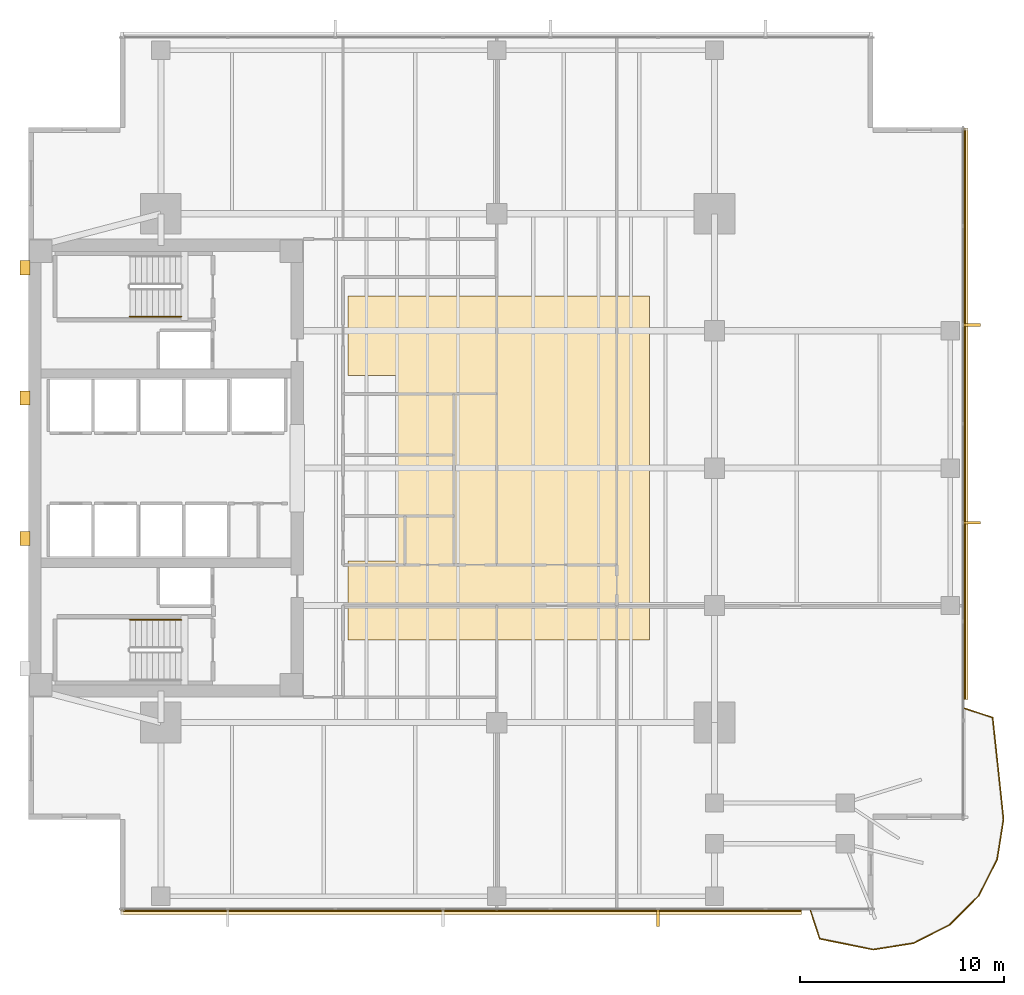
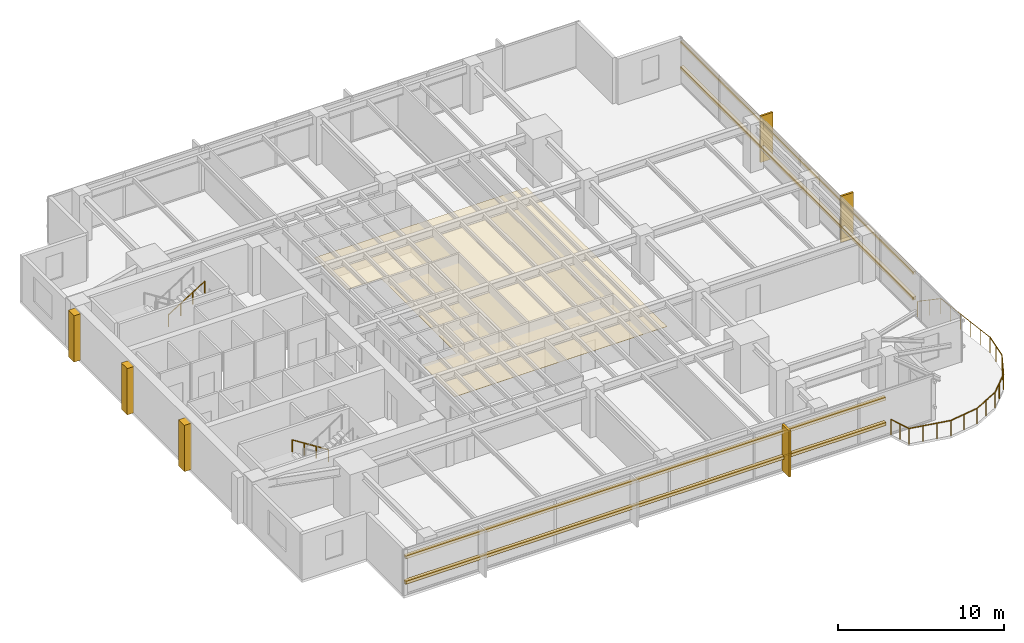
# One storey, part 12 of 14: 11 coverings, 11 railings, 4 shading devices.
"""IFC4 building model written with IfcOpenShell, lengths in metres."""

from ifc_helpers import new_model, si_unit, direction, frame, origin, origin_2d, place, context, subcontext, project, spatial, polyline, rectangle, circle, outline, extrude, material, layer, layer_set, material_profile, profile_set, type_object, element, save


model = new_model("IFC4")

# Units and contexts
model_context = context("Model", 3, precision=1e-05, world=origin(), true_north=direction((0.0, 1.0)))
body_context = subcontext(model_context, "Body", "Model", "MODEL_VIEW")
ifc_project = project(units=[si_unit("LENGTHUNIT", "METRE"), si_unit("AREAUNIT", "SQUARE_METRE"), si_unit("VOLUMEUNIT", "CUBIC_METRE"), si_unit("PLANEANGLEUNIT", "RADIAN"), si_unit("MASSUNIT", "GRAM", prefix="KILO")], contexts=[model_context])

# Site, building, storey
site_placement = place(None, origin())
site = spatial("IfcSite", under=ifc_project, at=site_placement, CompositionType="ELEMENT")
building_placement = place(site_placement, origin())
building = spatial("IfcBuilding", under=site, at=building_placement, Name="Kinhvarn Gate Tower", CompositionType="ELEMENT")
storey_placement = place(building_placement, frame((0.0, 0.0, 137.75)))
storey = spatial("IfcBuildingStorey", under=building, at=storey_placement, Name="L36", CompositionType="ELEMENT", Elevation=137.75)

# Coverings
ifc_material_1 = material(Name="Fired architectural terracotta", Category="masonry")
ifc_layer_1 = layer(ifc_material_1, 0.239990234375)
ifc_layer_set_1 = layer_set([ifc_layer_1], Name="Fired architectural terracotta")
covering_type_1 = type_object("IfcCoveringType", Name="COV-BAG-220", PredefinedType="CLADDING", material=ifc_layer_set_1)
for number, where, name in (
    (1, (0.0, 0.0, 0.93994140625), "Terracotta Horizontal Sunscreen Band TBG-220 (L36)"),
    (2, (0.0, 0.0, 2.81005859375), "Terracotta Horizontal Sunscreen Band TBG-220 (L36)"),
):
    element("IfcCovering", number, at=place(storey_placement, frame(where)), inside=storey, type_object=covering_type_1, Name=name, PredefinedType="CLADDING", context=body_context, shape_type="SweptSolid", body=[
        extrude(outline(polyline([(9.0400390625, 3.570068359375), (42.469970703125, 3.570068359375), (42.469970703125, 3.330078125), (9.0400390625, 3.330078125), (9.0400390625, 3.570068359375)])), origin(), (0.0, 0.0, 1.0), 0.219970703125),
    ])
for number, where, name in (
    (3, (0.0, 0.0, 0.93994140625), "Terracotta Horizontal Sunscreen Band TBG-220 (L36)"),
    (4, (0.0, 0.0, 2.81005859375), "Terracotta Horizontal Sunscreen Band TBG-220 (L36)"),
):
    element("IfcCovering", number, at=place(storey_placement, frame(where)), inside=storey, type_object=covering_type_1, Name=name, PredefinedType="CLADDING", context=body_context, shape_type="SweptSolid", body=[
        extrude(outline(polyline([(50.429931640625, 13.89501953125), (50.429931640625, 41.9599609375), (50.669921875, 41.9599609375), (50.669921875, 13.89501953125), (50.429931640625, 13.89501953125)])), origin(), (0.0, 0.0, 1.0), 0.219970703125),
    ])
ifc_material_2 = material(Name="Mineral-fibre acoustic ceiling tile")
ifc_layer_2 = layer(ifc_material_2, 0.02001953125)
ifc_layer_set_2 = layer_set([ifc_layer_2], Name="Mineral-fibre acoustic ceiling tile")
covering_type_2 = type_object("IfcCoveringType", Name="COV-CEIL-20", PredefinedType="CEILING", material=ifc_layer_set_2)
covering_1_placement = place(storey_placement, frame((0.0, 0.0, 2.64990234375)))
element("IfcCovering", 5, at=covering_1_placement, inside=storey, type_object=covering_type_2, Name="Suspended Acoustic Ceiling Tile (L36-1)", PredefinedType="CEILING", context=body_context, shape_type="SweptSolid", body=[
    extrude(outline(polyline([(35.0, 33.699951171875), (35.0, 16.800048828125), (20.199951171875, 16.800048828125), (20.199951171875, 20.699951171875), (22.60009765625, 20.699951171875), (22.60009765625, 29.800048828125), (20.199951171875, 29.800048828125), (20.199951171875, 33.699951171875), (35.0, 33.699951171875)])), origin(), (0.0, 0.0, 1.0), 0.02001953125),
])
ifc_layer_3 = layer(ifc_material_1, 0.139892578125)
ifc_layer_set_3 = layer_set([ifc_layer_3], Name="Fired architectural terracotta")
covering_type_3 = type_object("IfcCoveringType", Name="COV-FIN-850", PredefinedType="CLADDING", material=ifc_layer_set_3)
covering_2_placement = place(storey_placement, frame((0.0, 0.0, -0.02001953125)))
element("IfcCovering", 6, at=covering_2_placement, inside=storey, type_object=covering_type_3, Name="Vertical Terracotta Expressive Fin TFN-850 (L36)", PredefinedType="CLADDING", context=body_context, shape_type="SweptSolid", body=[
    extrude(outline(polyline([(35.358642578125, 3.580078125), (35.49853515625, 3.580078125), (35.49853515625, 2.72998046875), (35.358642578125, 2.72998046875), (35.358642578125, 3.580078125)])), origin(), (0.0, 0.0, 1.0), 3.409912109375),
])
covering_3_placement = place(storey_placement, frame((0.0, 0.0, -0.02001953125)))
element("IfcCovering", 7, at=covering_3_placement, inside=storey, type_object=covering_type_3, Name="Vertical Terracotta Expressive Fin TFN-850 (L36)", PredefinedType="CLADDING", context=body_context, shape_type="SweptSolid", body=[
    extrude(outline(polyline([(50.419921875, 22.50146484375), (50.419921875, 22.641357421875), (51.27001953125, 22.641357421875), (51.27001953125, 22.50146484375), (50.419921875, 22.50146484375)])), origin(), (0.0, 0.0, 1.0), 3.409912109375),
])
covering_4_placement = place(storey_placement, frame((0.0, 0.0, -0.02001953125)))
element("IfcCovering", 8, at=covering_4_placement, inside=storey, type_object=covering_type_3, Name="Vertical Terracotta Expressive Fin TFN-850 (L36)", PredefinedType="CLADDING", context=body_context, shape_type="SweptSolid", body=[
    extrude(outline(polyline([(50.419921875, 32.2158203125), (50.419921875, 32.355712890625), (51.27001953125, 32.355712890625), (51.27001953125, 32.2158203125), (50.419921875, 32.2158203125)])), origin(), (0.0, 0.0, 1.0), 3.409912109375),
])
ifc_material_3 = material(Name="Precast white architectural concrete C40/50", Category="concrete")
ifc_layer_4 = layer(ifc_material_3, 0.47998046875)
ifc_layer_set_4 = layer_set([ifc_layer_4], Name="Precast white architectural concrete C40/50")
covering_type_4 = type_object("IfcCoveringType", Name="COV-RIB-450", PredefinedType="CLADDING", material=ifc_layer_set_4)
covering_5_placement = place(storey_placement, frame((0.0, 0.0, -0.02001953125)))
element("IfcCovering", 9, at=covering_5_placement, inside=storey, type_object=covering_type_4, Name="West Core Sculptural Concrete Relief Rib CRB-450 (L36)", PredefinedType="CLADDING", context=body_context, shape_type="SweptSolid", body=[
    extrude(outline(polyline([(4.080078125, 21.449951171875), (4.56005859375, 21.449951171875), (4.56005859375, 22.14990234375), (4.080078125, 22.14990234375), (4.080078125, 21.449951171875)])), origin(), (0.0, 0.0, 1.0), 3.409912109375),
])
covering_6_placement = place(storey_placement, frame((0.0, 0.0, -0.02001953125)))
element("IfcCovering", 10, at=covering_6_placement, inside=storey, type_object=covering_type_4, Name="West Core Sculptural Concrete Relief Rib CRB-450 (L36)", PredefinedType="CLADDING", context=body_context, shape_type="SweptSolid", body=[
    extrude(outline(polyline([(4.080078125, 28.35009765625), (4.56005859375, 28.35009765625), (4.56005859375, 29.050048828125), (4.080078125, 29.050048828125), (4.080078125, 28.35009765625)])), origin(), (0.0, 0.0, 1.0), 3.409912109375),
])
covering_7_placement = place(storey_placement, frame((0.0, 0.0, -0.02001953125)))
element("IfcCovering", 11, at=covering_7_placement, inside=storey, type_object=covering_type_4, Name="West Core Sculptural Concrete Relief Rib CRB-450 (L36)", PredefinedType="CLADDING", context=body_context, shape_type="SweptSolid", body=[
    extrude(outline(polyline([(4.080078125, 34.75), (4.56005859375, 34.75), (4.56005859375, 35.449951171875), (4.080078125, 35.449951171875), (4.080078125, 34.75)])), origin(), (0.0, 0.0, 1.0), 3.409912109375),
])

# Railings
ifc_material_4 = material(Name="Clear low-e double glazing", Category="glass")
railing_type_1 = type_object("IfcRailingType", Name="RL-BAL-1150", PredefinedType="BALUSTRADE", material=ifc_material_4)
railing_1_placement = place(storey_placement, frame((42.919921875, 3.5, 0.0)))
element("IfcRailing", 12, at=railing_1_placement, inside=storey, type_object=railing_type_1, Name="S-Carve Balcony Guardrail Seg 1 (L36)", PredefinedType="BALUSTRADE", context=body_context, shape_type="SweptSolid", body=[
    extrude(circle(Radius=0.02392578125, at=origin_2d()), frame((0.0, 0.0, 1.1259765625), z_axis=(0.312162019824, -0.950028880287, 0.0), x_axis=(0.950028880287, 0.312162019824, 0.0)), (0.0, 0.0, 1.0), 1.442138671875),
    extrude(circle(Radius=0.02099609375, at=origin_2d()), origin(), (0.0, 0.0, 1.0), 1.101806640625),
    extrude(circle(Radius=0.02099609375, at=origin_2d()), frame((0.22509765625, -0.68505859375, 0.0)), (0.0, 0.0, 1.0), 1.101806640625),
    extrude(circle(Radius=0.02099609375, at=origin_2d()), frame((0.4501953125, -1.3701171875, 0.0)), (0.0, 0.0, 1.0), 1.101806640625),
])
railing_2_placement = place(storey_placement, frame((43.3701171875, 2.1298828125, 0.0)))
element("IfcRailing", 13, at=railing_2_placement, inside=storey, type_object=railing_type_1, Name="S-Carve Balcony Guardrail Seg 2 (L36)", PredefinedType="BALUSTRADE", context=body_context, shape_type="SweptSolid", body=[
    extrude(circle(Radius=0.02392578125, at=origin_2d()), frame((0.0, 0.0, 1.1259765625), z_axis=(0.980077072876, -0.198617550138, 0.0), x_axis=(0.198617550138, 0.980077072876, 0.0)), (0.0, 0.0, 1.0), 2.683349609375),
    extrude(circle(Radius=0.02099609375, at=origin_2d()), origin(), (0.0, 0.0, 1.0), 1.101806640625),
    extrude(circle(Radius=0.02099609375, at=origin_2d()), frame((0.876708984375, -0.177734375, 0.0)), (0.0, 0.0, 1.0), 1.101806640625),
    extrude(circle(Radius=0.02099609375, at=origin_2d()), frame((1.753173828125, -0.355224609375, 0.0)), (0.0, 0.0, 1.0), 1.101806640625),
    extrude(circle(Radius=0.02099609375, at=origin_2d()), frame((2.6298828125, -0.532958984375, 0.0)), (0.0, 0.0, 1.0), 1.101806640625),
])
railing_3_placement = place(storey_placement, frame((46.0, 1.596923828125, 0.0)))
element("IfcRailing", 14, at=railing_3_placement, inside=storey, type_object=railing_type_1, Name="S-Carve Balcony Guardrail Seg 3 (L36)", PredefinedType="BALUSTRADE", context=body_context, shape_type="SweptSolid", body=[
    extrude(circle(Radius=0.02392578125, at=origin_2d()), frame((0.0, 0.0, 1.1259765625), z_axis=(0.987679818269, 0.156488263408, 0.0), x_axis=(-0.156488263408, 0.987679818269, 0.0)), (0.0, 0.0, 1.0), 2.003173828125),
    extrude(circle(Radius=0.02099609375, at=origin_2d()), origin(), (0.0, 0.0, 1.0), 1.101806640625),
    extrude(circle(Radius=0.02099609375, at=origin_2d()), frame((0.9892578125, 0.15673828125, 0.0)), (0.0, 0.0, 1.0), 1.101806640625),
    extrude(circle(Radius=0.02099609375, at=origin_2d()), frame((1.978515625, 0.3134765625, 0.0)), (0.0, 0.0, 1.0), 1.101806640625),
])
railing_4_placement = place(storey_placement, frame((47.978515625, 1.910400390625, 0.0)))
element("IfcRailing", 15, at=railing_4_placement, inside=storey, type_object=railing_type_1, Name="S-Carve Balcony Guardrail Seg 4 (L36)", PredefinedType="BALUSTRADE", context=body_context, shape_type="SweptSolid", body=[
    extrude(circle(Radius=0.02392578125, at=origin_2d()), frame((0.0, 0.0, 1.1259765625), z_axis=(0.891038566893, 0.453927606903, 0.0), x_axis=(-0.453927606903, 0.891038566893, 0.0)), (0.0, 0.0, 1.0), 2.00341796875),
    extrude(circle(Radius=0.02099609375, at=origin_2d()), origin(), (0.0, 0.0, 1.0), 1.101806640625),
    extrude(circle(Radius=0.02099609375, at=origin_2d()), frame((0.892578125, 0.45458984375, 0.0)), (0.0, 0.0, 1.0), 1.101806640625),
    extrude(circle(Radius=0.02099609375, at=origin_2d()), frame((1.78515625, 0.909423828125, 0.0)), (0.0, 0.0, 1.0), 1.101806640625),
])
railing_5_placement = place(storey_placement, frame((49.763671875, 2.81982421875, 0.0)))
element("IfcRailing", 16, at=railing_5_placement, inside=storey, type_object=railing_type_1, Name="S-Carve Balcony Guardrail Seg 5 (L36)", PredefinedType="BALUSTRADE", context=body_context, shape_type="SweptSolid", body=[
    extrude(circle(Radius=0.02392578125, at=origin_2d()), frame((0.0, 0.0, 1.1259765625), z_axis=(0.707106781187, 0.707106781187, 0.0), x_axis=(-0.707106781187, 0.707106781187, 0.0)), (0.0, 0.0, 1.0), 2.003173828125),
    extrude(circle(Radius=0.02099609375, at=origin_2d()), origin(), (0.0, 0.0, 1.0), 1.101806640625),
    extrude(circle(Radius=0.02099609375, at=origin_2d()), frame((0.708251953125, 0.708251953125, 0.0)), (0.0, 0.0, 1.0), 1.101806640625),
    extrude(circle(Radius=0.02099609375, at=origin_2d()), frame((1.41650390625, 1.41650390625, 0.0)), (0.0, 0.0, 1.0), 1.101806640625),
])
railing_6_placement = place(storey_placement, frame((51.18017578125, 4.236328125, 0.0)))
element("IfcRailing", 17, at=railing_6_placement, inside=storey, type_object=railing_type_1, Name="S-Carve Balcony Guardrail Seg 6 (L36)", PredefinedType="BALUSTRADE", context=body_context, shape_type="SweptSolid", body=[
    extrude(circle(Radius=0.02392578125, at=origin_2d()), frame((0.0, 0.0, 1.1259765625), z_axis=(0.453927606903, 0.891038566893, 0.0), x_axis=(-0.891038566893, 0.453927606903, 0.0)), (0.0, 0.0, 1.0), 2.00341796875),
    extrude(circle(Radius=0.02099609375, at=origin_2d()), origin(), (0.0, 0.0, 1.0), 1.101806640625),
    extrude(circle(Radius=0.02099609375, at=origin_2d()), frame((0.45458984375, 0.892578125, 0.0)), (0.0, 0.0, 1.0), 1.101806640625),
    extrude(circle(Radius=0.02099609375, at=origin_2d()), frame((0.909423828125, 1.78515625, 0.0)), (0.0, 0.0, 1.0), 1.101806640625),
])
railing_7_placement = place(storey_placement, frame((52.089599609375, 6.021484375, 0.0)))
element("IfcRailing", 18, at=railing_7_placement, inside=storey, type_object=railing_type_1, Name="S-Carve Balcony Guardrail Seg 7 (L36)", PredefinedType="BALUSTRADE", context=body_context, shape_type="SweptSolid", body=[
    extrude(circle(Radius=0.02392578125, at=origin_2d()), frame((0.0, 0.0, 1.1259765625), z_axis=(0.156488263408, 0.987679818269, 0.0), x_axis=(-0.987679818269, 0.156488263408, 0.0)), (0.0, 0.0, 1.0), 2.003173828125),
    extrude(circle(Radius=0.02099609375, at=origin_2d()), origin(), (0.0, 0.0, 1.0), 1.101806640625),
    extrude(circle(Radius=0.02099609375, at=origin_2d()), frame((0.15673828125, 0.9892578125, 0.0)), (0.0, 0.0, 1.0), 1.101806640625),
    extrude(circle(Radius=0.02099609375, at=origin_2d()), frame((0.3134765625, 1.978515625, 0.0)), (0.0, 0.0, 1.0), 1.101806640625),
])
railing_8_placement = place(storey_placement, frame((52.403076171875, 8.0, 0.0)))
element("IfcRailing", 19, at=railing_8_placement, inside=storey, type_object=railing_type_1, Name="S-Carve Balcony Guardrail Seg 8 (L36)", PredefinedType="BALUSTRADE", context=body_context, shape_type="SweptSolid", body=[
    extrude(circle(Radius=0.02392578125, at=origin_2d()), frame((0.0, 0.0, 1.1259765625), z_axis=(-0.106093813308, 0.994356124725, 0.0), x_axis=(-0.994356124725, -0.106093813308, 0.0)), (0.0, 0.0, 1.0), 5.0234375),
    extrude(circle(Radius=0.02099609375, at=origin_2d()), origin(), (0.0, 0.0, 1.0), 1.101806640625),
    extrude(circle(Radius=0.02099609375, at=origin_2d()), frame((-0.106689453125, 0.9990234375, 0.0)), (0.0, 0.0, 1.0), 1.101806640625),
    extrude(circle(Radius=0.02099609375, at=origin_2d()), frame((-0.213134765625, 1.998046875, 0.0)), (0.0, 0.0, 1.0), 1.101806640625),
    extrude(circle(Radius=0.02099609375, at=origin_2d()), frame((-0.31982421875, 2.9970703125, 0.0)), (0.0, 0.0, 1.0), 1.101806640625),
    extrude(circle(Radius=0.02099609375, at=origin_2d()), frame((-0.42626953125, 3.99609375, 0.0)), (0.0, 0.0, 1.0), 1.101806640625),
    extrude(circle(Radius=0.02099609375, at=origin_2d()), frame((-0.532958984375, 4.9951171875, 0.0)), (0.0, 0.0, 1.0), 1.101806640625),
])
railing_9_placement = place(storey_placement, frame((51.8701171875, 12.9951171875, 0.0)))
element("IfcRailing", 20, at=railing_9_placement, inside=storey, type_object=railing_type_1, Name="S-Carve Balcony Guardrail Seg 9 (L36)", PredefinedType="BALUSTRADE", context=body_context, shape_type="SweptSolid", body=[
    extrude(circle(Radius=0.02392578125, at=origin_2d()), frame((0.0, 0.0, 1.1259765625), z_axis=(-0.950079074386, 0.312009218477, 0.0), x_axis=(-0.312009218477, -0.950079074386, 0.0)), (0.0, 0.0, 1.0), 1.442138671875),
    extrude(circle(Radius=0.02099609375, at=origin_2d()), origin(), (0.0, 0.0, 1.0), 1.101806640625),
    extrude(circle(Radius=0.02099609375, at=origin_2d()), frame((-0.68505859375, 0.22509765625, 0.0)), (0.0, 0.0, 1.0), 1.101806640625),
    extrude(circle(Radius=0.02099609375, at=origin_2d()), frame((-1.3701171875, 0.449951171875, 0.0)), (0.0, 0.0, 1.0), 1.101806640625),
])
ifc_material_5 = material(Name="Steel S355", Category="steel")
railing_type_2 = type_object("IfcRailingType", Name="RL-ST-HND", PredefinedType="HANDRAIL", material=ifc_material_5)
railing_10_placement = place(storey_placement, frame((12.0, 17.800048828125, 0.177490234375)))
element("IfcRailing", 21, at=railing_10_placement, inside=storey, type_object=railing_type_2, Name="L36 ST1 stair handrail 1", PredefinedType="HANDRAIL", context=body_context, shape_type="SweptSolid", body=[
    extrude(circle(Radius=0.02392578125, at=origin_2d()), frame((0.0, 0.0, 0.8759765625), z_axis=(-0.84460694969, 0.0, 0.535386869969), x_axis=(0.0, -1.0, 0.0)), (0.0, 0.0, 1.0), 2.983642578125),
    extrude(circle(Radius=0.02099609375, at=origin_2d()), origin(), (0.0, 0.0, 1.0), 0.851806640625),
    extrude(circle(Radius=0.02099609375, at=origin_2d()), frame((-0.840087890625, 0.0, 0.532470703125)), (0.0, 0.0, 1.0), 0.851806640625),
    extrude(circle(Radius=0.02099609375, at=origin_2d()), frame((-1.679931640625, 0.0, 1.06494140625)), (0.0, 0.0, 1.0), 0.851806640625),
    extrude(circle(Radius=0.02099609375, at=origin_2d()), frame((-2.52001953125, 0.0, 1.597412109375)), (0.0, 0.0, 1.0), 0.851806640625),
])
railing_11_placement = place(storey_placement, frame((9.47998046875, 32.699951171875, 1.952392578125)))
element("IfcRailing", 22, at=railing_11_placement, inside=storey, type_object=railing_type_2, Name="L36 ST2 stair handrail 2", PredefinedType="HANDRAIL", context=body_context, shape_type="SweptSolid", body=[
    extrude(circle(Radius=0.02392578125, at=origin_2d()), frame((0.0, 0.0, 0.8759765625), z_axis=(0.84456994832, 0.0, 0.535445237532), x_axis=(0.0, 1.0, 0.0)), (0.0, 0.0, 1.0), 2.98388671875),
    extrude(circle(Radius=0.02099609375, at=origin_2d()), origin(), (0.0, 0.0, 1.0), 0.851806640625),
    extrude(circle(Radius=0.02099609375, at=origin_2d()), frame((0.840087890625, 0.0, 0.532470703125)), (0.0, 0.0, 1.0), 0.851806640625),
    extrude(circle(Radius=0.02099609375, at=origin_2d()), frame((1.679931640625, 0.0, 1.065185546875)), (0.0, 0.0, 1.0), 0.851806640625),
    extrude(circle(Radius=0.02099609375, at=origin_2d()), frame((2.52001953125, 0.0, 1.59765625)), (0.0, 0.0, 1.0), 0.851806640625),
])

# Shading devices
ifc_material_profile = material_profile(ifc_material_1, rectangle(XDim=0.050048828125, YDim=0.1201171875, at=origin_2d()), Name="TC 50x120")
ifc_profile_set = profile_set([ifc_material_profile], Name="Fired architectural terracotta")
shading_device_type = type_object("IfcShadingDeviceType", Name="SHD-BAG-140", PredefinedType="USERDEFINED", material=ifc_profile_set)
for number, where, z_axis, x_axis, name in (
    (23, (9.0400390625, 3.5, 1.050048828125), (1.0, 0.0, 0.0), (0.0, 1.0, 0.0), "Upper Tower Terracotta Baguette Screen Rod 50x120 mm (L36)"),
    (24, (9.0400390625, 3.5, 2.919921875), (1.0, 0.0, 0.0), (0.0, 1.0, 0.0), "Upper Tower Terracotta Baguette Screen Rod 50x120 mm (L36)"),
):
    element("IfcShadingDevice", number, at=place(storey_placement, frame(where, z_axis=z_axis, x_axis=x_axis)), inside=storey, type_object=shading_device_type, Name=name, ObjectType="BAGUETTE", PredefinedType="USERDEFINED", context=body_context, shape_type="SweptSolid", body=[
        extrude(rectangle(XDim=0.050048828125, YDim=0.1201171875, at=origin_2d()), origin(), (0.0, 0.0, 1.0), 33.429931640625),
    ])
for number, where, z_axis, x_axis, name in (
    (25, (50.5, 13.89501953125, 1.050048828125), (0.0, 1.0, 0.0), (-1.0, 0.0, 0.0), "Upper Tower Terracotta Baguette Screen Rod 50x120 mm (L36)"),
    (26, (50.5, 13.89501953125, 2.919921875), (0.0, 1.0, 0.0), (-1.0, 0.0, 0.0), "Upper Tower Terracotta Baguette Screen Rod 50x120 mm (L36)"),
):
    element("IfcShadingDevice", number, at=place(storey_placement, frame(where, z_axis=z_axis, x_axis=x_axis)), inside=storey, type_object=shading_device_type, Name=name, ObjectType="BAGUETTE", PredefinedType="USERDEFINED", context=body_context, shape_type="SweptSolid", body=[
        extrude(rectangle(XDim=0.050048828125, YDim=0.1201171875, at=origin_2d()), origin(), (0.0, 0.0, 1.0), 28.06494140625),
    ])

save(model, "model.ifc")
